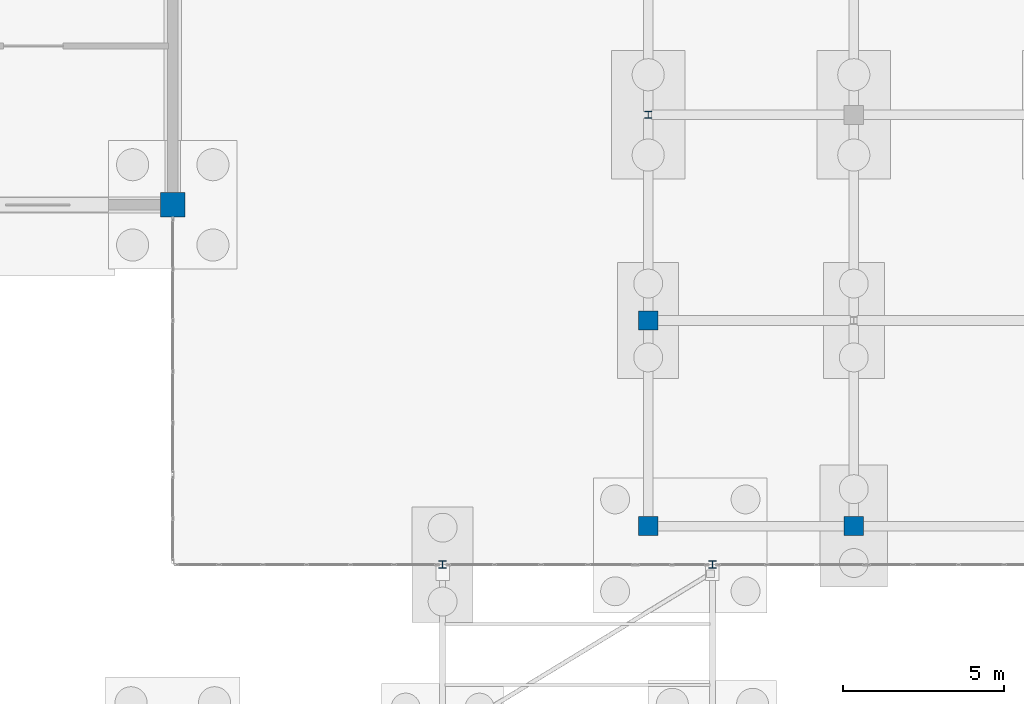
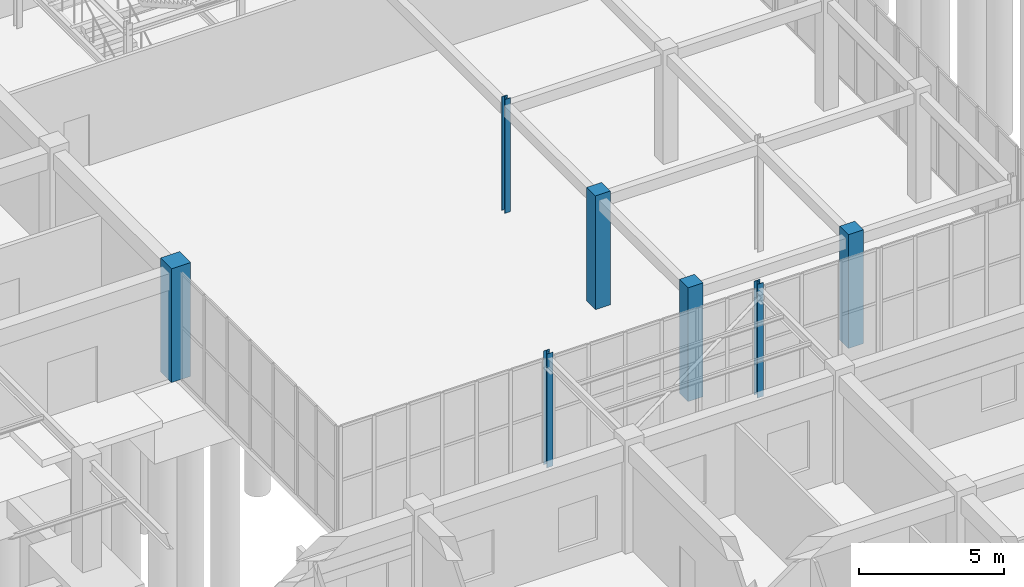
# One storey, part 26 of 192: 7 columns.
"""IFC4 building model written with IfcOpenShell, lengths in metres."""

from ifc_helpers import new_model, si_unit, direction, frame, origin, origin_2d, place, context, subcontext, project, spatial, rectangle, i_section, extrude, material, material_profile, profile_set, type_object, element, save


model = new_model("IFC4")

# Units and contexts
model_context = context("Model", 3, precision=1e-05, world=origin(), true_north=direction((0.0, 1.0)))
body_context = subcontext(model_context, "Body", "Model", "MODEL_VIEW")
ifc_project = project(units=[si_unit("LENGTHUNIT", "METRE"), si_unit("AREAUNIT", "SQUARE_METRE"), si_unit("VOLUMEUNIT", "CUBIC_METRE"), si_unit("PLANEANGLEUNIT", "RADIAN"), si_unit("MASSUNIT", "GRAM", prefix="KILO")], contexts=[model_context])

# Site, building, storey
site_placement = place(None, origin())
site = spatial("IfcSite", under=ifc_project, at=site_placement, CompositionType="ELEMENT")
building_placement = place(site_placement, origin())
building = spatial("IfcBuilding", under=site, at=building_placement, Name="Trelvath General Hospital", CompositionType="ELEMENT")
storey_placement = place(building_placement, origin())
storey = spatial("IfcBuildingStorey", under=building, at=storey_placement, Name="L00", CompositionType="ELEMENT", Elevation=0.0)

# Columns
ifc_material_1 = material(Name="Steel S355", Category="steel")
ifc_material_profile_1 = material_profile(ifc_material_1, i_section(OverallWidth=0.239990234375, OverallDepth=0.22998046875, WebThickness=0.007568359375, FlangeThickness=0.011962890625, at=origin_2d()), Name="HEA240")
ifc_profile_set_1 = profile_set([ifc_material_profile_1], Name="Steel S355")
column_type_1 = type_object("IfcColumnType", Name="BridgeColumn HEA240", PredefinedType="COLUMN", material=ifc_profile_set_1)
for number, where, z_axis, x_axis, name in (
    (1, (100.800048828125, 30.800048828125, 0.0), (0.0, 0.0, 1.0), (1.0, 0.0, 0.0), "Bridge Portal Column BC-03 L00"),
    (2, (109.199951171875, 30.800048828125, 0.0), (0.0, 0.0, 1.0), (1.0, 0.0, 0.0), "Bridge Portal Column BC-04 L00"),
):
    element("IfcColumn", number, at=place(storey_placement, frame(where, z_axis=z_axis, x_axis=x_axis)), inside=storey, type_object=column_type_1, Name=name, PredefinedType="COLUMN", context=body_context, shape_type="SweptSolid", body=[
        extrude(i_section(OverallWidth=0.239990234375, OverallDepth=0.22998046875, WebThickness=0.007568359375, FlangeThickness=0.011962890625, at=origin_2d()), origin(), (0.0, 0.0, 1.0), 4.800048828125),
    ])
ifc_material_2 = material(Name="Concrete C40/50", Category="concrete")
ifc_material_profile_2 = material_profile(ifc_material_2, rectangle(XDim=0.60009765625, YDim=0.60009765625, at=origin_2d()), Name="RC600x600")
ifc_profile_set_2 = profile_set([ifc_material_profile_2], Name="Concrete C40/50")
column_type_2 = type_object("IfcColumnType", Name="Column RC600", PredefinedType="COLUMN", material=ifc_profile_set_2)
for number, where, z_axis, x_axis, name in (
    (3, (107.199951171875, 32.0, 0.0), (0.0, 0.0, 1.0), (1.0, 0.0, 0.0), "Cube Interior Column CC-E01 L00"),
    (4, (107.199951171875, 38.39990234375, 0.0), (0.0, 0.0, 1.0), (1.0, 0.0, 0.0), "Cube Interior Column CC-E02 L00"),
    (5, (113.60009765625, 32.0, 0.0), (0.0, 0.0, 1.0), (1.0, 0.0, 0.0), "Cube Interior Column CC-E08 L00"),
):
    element("IfcColumn", number, at=place(storey_placement, frame(where, z_axis=z_axis, x_axis=x_axis)), inside=storey, type_object=column_type_2, Name=name, PredefinedType="COLUMN", context=body_context, shape_type="SweptSolid", body=[
        extrude(rectangle(XDim=0.60009765625, YDim=0.60009765625, at=origin_2d()), origin(), (0.0, 0.0, 1.0), 4.800048828125),
    ])
ifc_material_3 = material(Name="Concrete C40/50", Category="concrete")
ifc_material_profile_3 = material_profile(ifc_material_3, rectangle(XDim=0.760009765625, YDim=0.760009765625, at=origin_2d()), Name="RC760x760")
ifc_profile_set_3 = profile_set([ifc_material_profile_3], Name="Concrete C40/50")
column_type_3 = type_object("IfcColumnType", Name="Column RC760", PredefinedType="COLUMN", material=ifc_profile_set_3)
column_1_placement = place(storey_placement, frame((92.39990234375, 42.0, 0.0), z_axis=(0.0, 0.0, 1.0), x_axis=(1.0, 0.0, 0.0)))
element("IfcColumn", 6, at=column_1_placement, inside=storey, type_object=column_type_3, Name="Column C-12F L00", PredefinedType="COLUMN", context=body_context, shape_type="SweptSolid", body=[
    extrude(rectangle(XDim=0.760009765625, YDim=0.760009765625, at=origin_2d()), origin(), (0.0, 0.0, 1.0), 4.800048828125),
])
ifc_material_4 = material(Name="Steel S355", Category="steel")
ifc_material_profile_4 = material_profile(ifc_material_4, i_section(OverallWidth=0.219970703125, OverallDepth=0.219970703125, WebThickness=0.009521484375, FlangeThickness=0.01611328125, at=origin_2d()), Name="HEB220")
ifc_profile_set_4 = profile_set([ifc_material_profile_4], Name="Steel S355")
column_type_4 = type_object("IfcColumnType", Name="CubePost HEB220", PredefinedType="COLUMN", material=ifc_profile_set_4)
column_2_placement = place(storey_placement, frame((107.199951171875, 44.800048828125, 0.0), z_axis=(0.0, 0.0, 1.0), x_axis=(1.0, 0.0, 0.0)))
element("IfcColumn", 7, at=column_2_placement, inside=storey, type_object=column_type_4, Name="Cube Interior Column CC-E03 L00", PredefinedType="COLUMN", context=body_context, shape_type="SweptSolid", body=[
    extrude(i_section(OverallWidth=0.219970703125, OverallDepth=0.219970703125, WebThickness=0.009521484375, FlangeThickness=0.01611328125, at=origin_2d()), origin(), (0.0, 0.0, 1.0), 4.800048828125),
])

save(model, "model.ifc")
